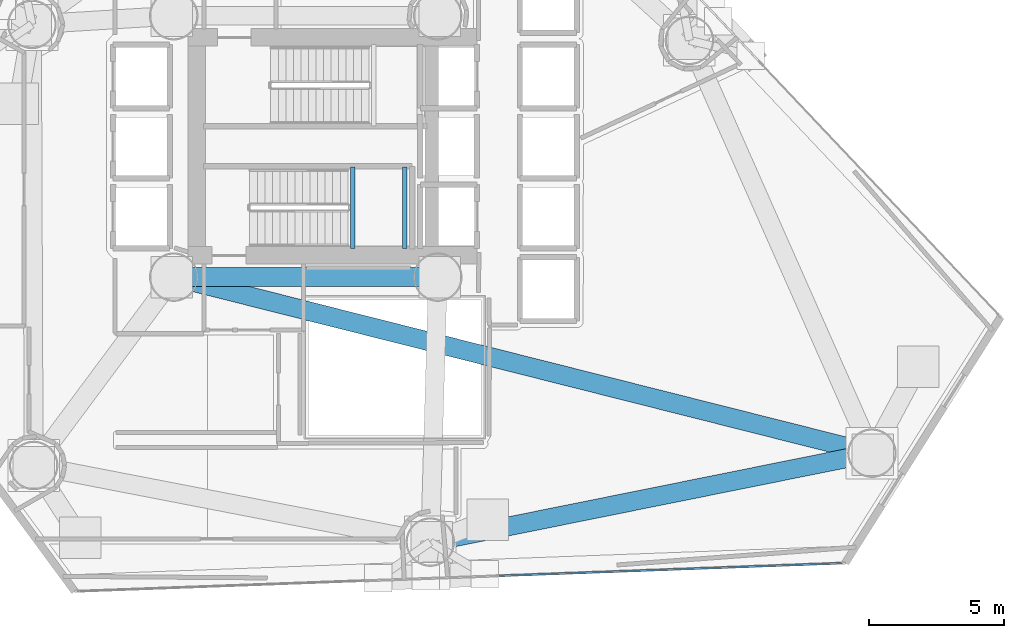
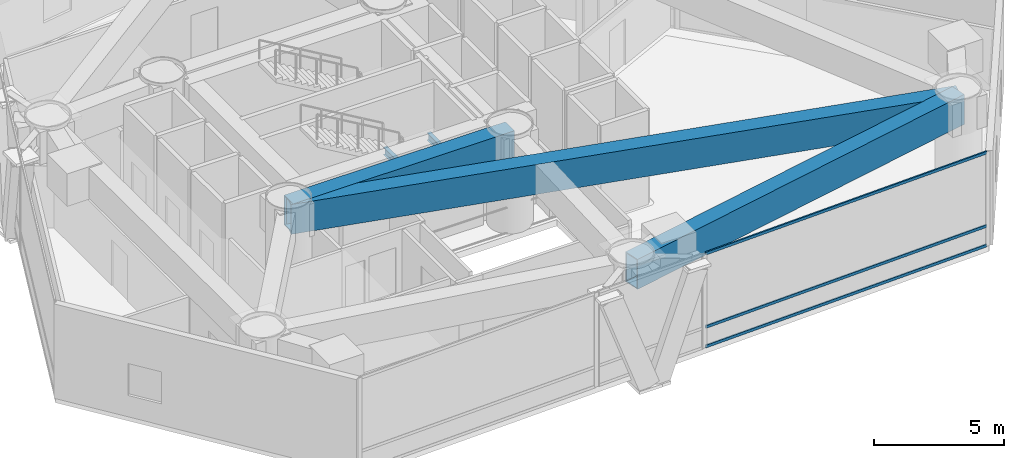
# One storey, part 6 of 22: 5 beams, 3 members, 1 element without a shape of its own.
"""IFC4 building model written with IfcOpenShell, lengths in metres."""

from ifc_helpers import new_model, si_unit, direction, frame, origin, origin_2d, place, context, subcontext, project, spatial, hollow_rectangle, i_section, extrude, material, layer, layer_set, material_profile, profile_set, type_object, element, aggregate, save


model = new_model("IFC4")

# Units and contexts
model_context = context("Model", 3, precision=1e-05, world=origin(), true_north=direction((0.0, 1.0)))
body_context = subcontext(model_context, "Body", "Model", "MODEL_VIEW")
ifc_project = project(units=[si_unit("LENGTHUNIT", "METRE"), si_unit("AREAUNIT", "SQUARE_METRE"), si_unit("VOLUMEUNIT", "CUBIC_METRE"), si_unit("PLANEANGLEUNIT", "RADIAN"), si_unit("MASSUNIT", "GRAM", prefix="KILO")], contexts=[model_context])

# Site, building, storey
site_placement = place(None, origin())
site = spatial("IfcSite", under=ifc_project, at=site_placement, CompositionType="ELEMENT")
building_placement = place(site_placement, origin())
building = spatial("IfcBuilding", under=site, at=building_placement, Name="Qianvela Tower", CompositionType="ELEMENT")
storey_placement = place(building_placement, frame((0.0, 0.0, 47.89990234375)))
storey = spatial("IfcBuildingStorey", under=building, at=storey_placement, Name="L11", CompositionType="ELEMENT", Elevation=47.89990234375)

# Beams
ifc_material_1 = material(Name="Steel Q355B", Category="steel")
ifc_material_profile_1 = material_profile(ifc_material_1, i_section(OverallWidth=0.175048828125, OverallDepth=0.35009765625, WebThickness=0.007080078125, FlangeThickness=0.010986328125, at=origin_2d()), Name="HN350x175x7x11")
ifc_profile_set_1 = profile_set([ifc_material_profile_1], Name="Steel Q355B")
beam_type_1 = type_object("IfcBeamType", Name="BM-HN350-JOIST", PredefinedType="JOIST", material=ifc_profile_set_1)
for number, where, z_axis, x_axis, name in (
    (1, (35.239990234375, 24.919921875, 1.925048828125), (0.0, 1.0, 0.0), (-1.0, 0.0, 0.0), "L11 Stair ST-2 Landing Support Beam 1.1"),
    (2, (37.169921875, 24.919921875, 1.925048828125), (0.0, 1.0, 0.0), (-1.0, 0.0, 0.0), "L11 Stair ST-2 Landing Support Beam 1.2"),
):
    element("IfcBeam", number, at=place(storey_placement, frame(where, z_axis=z_axis, x_axis=x_axis)), inside=storey, type_object=beam_type_1, Name=name, PredefinedType="JOIST", context=body_context, shape_type="SweptSolid", body=[
        extrude(i_section(OverallWidth=0.175048828125, OverallDepth=0.35009765625, WebThickness=0.007080078125, FlangeThickness=0.010986328125, at=origin_2d()), origin(), (0.0, 0.0, 1.0), 3.02001953125),
    ])
ifc_material_2 = material(Name="Steel Q420GJC", Category="steel")
ifc_material_profile_2 = material_profile(ifc_material_2, hollow_rectangle(XDim=0.699951171875, YDim=1.39990234375, WallThickness=0.0400390625, at=origin_2d()), Name="TG-BOX-1400x700x40")
ifc_profile_set_2 = profile_set([ifc_material_profile_2], Name="Steel Q420GJC")
beam_type_2 = type_object("IfcBeamType", Name="BM-TG-RAD-1400", PredefinedType="BEAM", material=ifc_profile_set_2)
beam_1_placement = place(storey_placement, frame((28.60009765625, 23.85009765625, 3.718017578125), z_axis=(1.0, 0.0, 0.0), x_axis=(0.0, 1.0, 0.0)))
element("IfcBeam", 3, at=beam_1_placement, inside=storey, type_object=beam_type_2, Name="L11 Core Ring Transfer Girder 1", PredefinedType="BEAM", context=body_context, shape_type="SweptSolid", body=[
    extrude(hollow_rectangle(XDim=0.699951171875, YDim=1.39990234375, WallThickness=0.0400390625, at=origin_2d()), origin(), (0.0, 0.0, 1.0), 9.7998046875),
])
beam_2_placement = place(storey_placement, frame((38.1201171875, 14.01611328125, 3.718017578125), z_axis=(0.980322065881, 0.197404779951, 0.0), x_axis=(-0.197404779951, 0.980322065881, 0.0)))
element("IfcBeam", 4, at=beam_2_placement, inside=storey, type_object=beam_type_2, Name="L11 Perimeter Belt-Truss Top Ring Girder 6", PredefinedType="BEAM", context=body_context, shape_type="SweptSolid", body=[
    extrude(hollow_rectangle(XDim=0.699951171875, YDim=1.39990234375, WallThickness=0.0400390625, at=origin_2d()), origin(), (0.0, 0.0, 1.0), 16.720947265625),
])
beam_3_placement = place(storey_placement, frame((28.60009765625, 23.85009765625, 3.718017578125), z_axis=(0.969654189465, -0.244480577661, 0.0), x_axis=(0.244480577661, 0.969654189465, 0.0)))
element("IfcBeam", 5, at=beam_3_placement, inside=storey, type_object=beam_type_2, Name="L11 Radial Outrigger Top Transfer Girder 1", PredefinedType="BEAM", context=body_context, shape_type="SweptSolid", body=[
    extrude(hollow_rectangle(XDim=0.699951171875, YDim=1.39990234375, WallThickness=0.0400390625, at=origin_2d()), origin(), (0.0, 0.0, 1.0), 26.722900390625),
])

# Curtain wall, members
ifc_material_3 = material(Name="Anodised Architectural Aluminium and Low-E Glass", Category="aluminium")
ifc_layer = layer(ifc_material_3, 0.179931640625)
ifc_layer_set = layer_set([ifc_layer], Name="Anodised Architectural Aluminium and Low-E Glass")
curtain_wall_type = type_object("IfcCurtainWallType", Name="CW-COLIV-Z12", PredefinedType="USERDEFINED", material=ifc_layer_set)
curtain_wall_placement = place(storey_placement, origin())
curtain_wall = element("IfcCurtainWall", 6, at=curtain_wall_placement, inside=storey, type_object=curtain_wall_type, Name="L11 CW-COLIV-Z12 Curtain Wall 06C", ObjectType="CURTAIN_WALL_SYSTEM", PredefinedType="USERDEFINED")
ifc_material_4 = material(Name="Anodised Architectural Aluminium 6063-T6", Category="aluminium")
ifc_material_profile_3 = material_profile(ifc_material_4, hollow_rectangle(XDim=0.06494140625, YDim=0.1298828125, WallThickness=0.00439453125, at=origin_2d()), Name="ALU-TRAN-65x130")
ifc_profile_set_3 = profile_set([ifc_material_profile_3], Name="Anodised Architectural Aluminium 6063-T6")
member_type = type_object("IfcMemberType", Name="CW-COLIV-Z12-TRAN", PredefinedType="USERDEFINED", material=ifc_profile_set_3)
member_1_placement = place(storey_placement, frame((40.666748046875, 12.764892578125, 0.03271484375), z_axis=(0.999320071185, 0.036869978669, 0.0), x_axis=(-0.036869978669, 0.999320071185, 0.0)))
member_1 = element("IfcMember", 7, at=member_1_placement, type_object=member_type, Name="CW-3 transom 1.1", ObjectType="TRANSOM", PredefinedType="USERDEFINED", context=body_context, shape_type="SweptSolid", body=[
    extrude(hollow_rectangle(XDim=0.06494140625, YDim=0.1298828125, WallThickness=0.00439453125, at=origin_2d()), origin(), (0.0, 0.0, 1.0), 12.74658203125),
])
member_2_placement = place(storey_placement, frame((40.666748046875, 12.764892578125, 0.9501953125), z_axis=(0.999320071185, 0.036869978669, 0.0), x_axis=(-0.036869978669, 0.999320071185, 0.0)))
member_2 = element("IfcMember", 8, at=member_2_placement, type_object=member_type, Name="CW-3 transom 1.2", ObjectType="TRANSOM", PredefinedType="USERDEFINED", context=body_context, shape_type="SweptSolid", body=[
    extrude(hollow_rectangle(XDim=0.06494140625, YDim=0.1298828125, WallThickness=0.00439453125, at=origin_2d()), origin(), (0.0, 0.0, 1.0), 12.74658203125),
])
member_3_placement = place(storey_placement, frame((40.666748046875, 12.764892578125, 4.3876953125), z_axis=(0.999320071185, 0.036869978669, 0.0), x_axis=(-0.036869978669, 0.999320071185, 0.0)))
member_3 = element("IfcMember", 9, at=member_3_placement, type_object=member_type, Name="CW-3 transom 1.3", ObjectType="TRANSOM", PredefinedType="USERDEFINED", context=body_context, shape_type="SweptSolid", body=[
    extrude(hollow_rectangle(XDim=0.06494140625, YDim=0.1298828125, WallThickness=0.00439453125, at=origin_2d()), origin(), (0.0, 0.0, 1.0), 12.74658203125),
])
aggregate(curtain_wall, [member_1, member_2, member_3])

save(model, "model.ifc")
